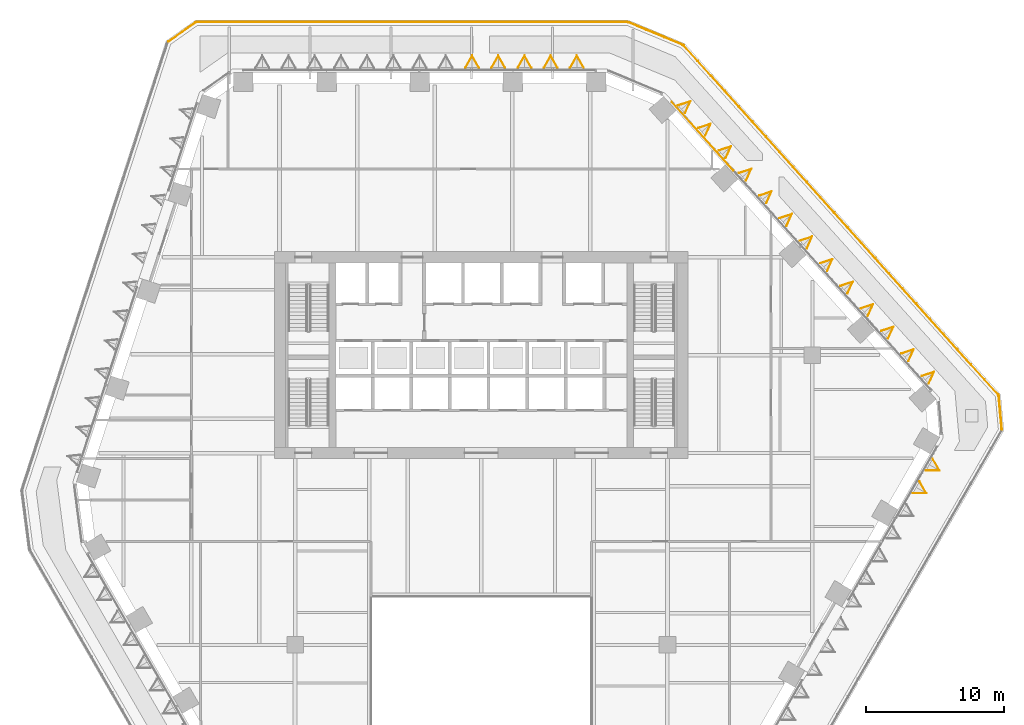
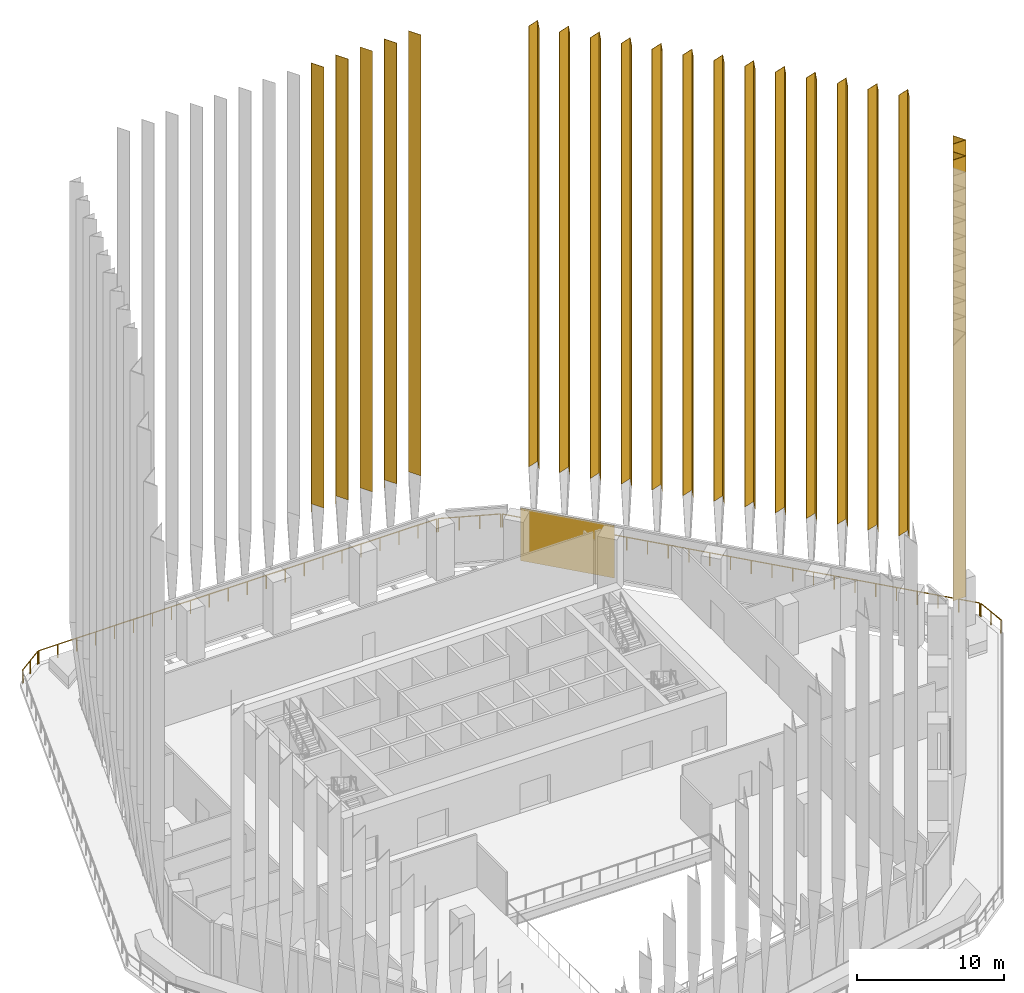
# One storey, part 23 of 27: 21 coverings, 5 railings, 1 element without a shape of its own.
"""IFC4 building model written with IfcOpenShell, lengths in metres."""

import ifcopenshell
import ifcopenshell.guid

model = None  # the IFC model being written
_history = None  # IfcOwnerHistory: only IFC2X3 demands one
_inside = {}  # id of a spatial element -> (the spatial element, [elements in it])
_under = {}  # id of a project, library or spatial element -> (it, [spatial elements below it])
_declared = {}  # id of a project -> (the project, [libraries it declares])
_typed = {}  # id of a type object -> (the type object, [elements of that type])
_made_of = {}  # id of a material, layer set ... -> (it, [elements and type objects made of it])


def new_model(schema):
    """Start an empty IFC model of exactly this schema.

    Asked for "IFC4X3", IfcOpenShell would pick the latest addendum, in which some entities
    have other attributes; the version numbers below select the first issue.
    IFC2X3 requires an IfcOwnerHistory on every rooted entity: one is made here for all.
    """
    global model, _history
    if schema == "IFC4X3":
        model = ifcopenshell.file(schema_version=(4, 3, 0, 0))
    else:
        model = ifcopenshell.file(schema=schema)
    _inside.clear()
    _under.clear()
    _declared.clear()
    _typed.clear()
    _made_of.clear()
    _history = None
    if model.schema == "IFC2X3":
        org = make("IfcOrganization", Name="unknown")
        user = make(
            "IfcPersonAndOrganization",
            ThePerson=make("IfcPerson", FamilyName="unknown"),
            TheOrganization=org,
        )
        app = make(
            "IfcApplication",
            ApplicationDeveloper=org,
            Version="unknown",
            ApplicationFullName="unknown",
            ApplicationIdentifier="unknown",
        )
        _history = make(
            "IfcOwnerHistory",
            OwningUser=user,
            OwningApplication=app,
            ChangeAction="ADDED",
            CreationDate=0,
        )
    return model


def make(cls, **values):
    """One entity of the class cls with the attributes given. An attribute that is None is left unset."""
    return model.create_entity(
        cls, **{name: value for name, value in values.items() if value is not None}
    )


def rooted(cls, **values):
    """An entity with a GlobalId (a new one), such as an element, a storey or a relation."""
    return make(cls, GlobalId=ifcopenshell.guid.new(), OwnerHistory=_history, **values)


def si_unit(unit_type, name, prefix=None):
    """IfcSIUnit, for example si_unit("LENGTHUNIT", "METRE", prefix="MILLI")."""
    return make("IfcSIUnit", UnitType=unit_type, Prefix=prefix, Name=name)


def assignment(units):
    """IfcUnitAssignment: the units of a project."""
    return None if units is None else make("IfcUnitAssignment", Units=units)


def point(xyz):
    """IfcCartesianPoint."""
    return None if xyz is None else make("IfcCartesianPoint", Coordinates=xyz)


def direction(xyz):
    """IfcDirection."""
    return None if xyz is None else make("IfcDirection", DirectionRatios=xyz)


def frame(location, z_axis=None, x_axis=None):
    """IfcAxis2Placement3D, a coordinate frame: its origin and axes. An axis left out is left unset."""
    return make(
        "IfcAxis2Placement3D",
        Location=point(location),
        Axis=direction(z_axis),
        RefDirection=direction(x_axis),
    )


def frame_2d(location, x_axis=None):
    """IfcAxis2Placement2D, a coordinate frame in the plane: its origin and x axis."""
    return make(
        "IfcAxis2Placement2D", Location=point(location), RefDirection=direction(x_axis)
    )


def origin():
    """The frame at (0, 0, 0) with its axes left unset."""
    return frame((0.0, 0.0, 0.0))


def origin_2d():
    """The frame at (0, 0) in the plane with its x axis left unset."""
    return frame_2d((0.0, 0.0))


def place(relative_to, where):
    """IfcLocalPlacement: puts the frame where relative to a parent placement (None: the world)."""
    return make(
        "IfcLocalPlacement", PlacementRelTo=relative_to, RelativePlacement=where
    )


def context(
    kind, dimensions, precision=None, world=None, true_north=None, identifier=None
):
    """IfcGeometricRepresentationContext, for example the 3D "Model" context."""
    return make(
        "IfcGeometricRepresentationContext",
        ContextIdentifier=identifier,
        ContextType=kind,
        CoordinateSpaceDimension=dimensions,
        Precision=precision,
        WorldCoordinateSystem=world,
        TrueNorth=true_north,
    )


def subcontext(parent, identifier, kind, view, scale=None):
    """IfcGeometricRepresentationSubContext, for example "Body" below "Model"."""
    return make(
        "IfcGeometricRepresentationSubContext",
        ContextIdentifier=identifier,
        ContextType=kind,
        ParentContext=parent,
        TargetScale=scale,
        TargetView=view,
    )


def project(units=None, contexts=None):
    """IfcProject with its units and contexts."""
    return rooted(
        "IfcProject",
        Name="project",
        RepresentationContexts=contexts,
        UnitsInContext=assignment(units),
    )


def spatial(cls, under=None, at=None, **own):
    """A site, building, storey or space (cls), placed at a placement, below another one or the project."""
    s = rooted(cls, ObjectPlacement=at, **own)
    if under is not None:
        _under.setdefault(under.id(), (under, []))[1].append(s)
    return s


def polyline(points):
    """IfcPolyline through the points."""
    return make("IfcPolyline", Points=[point(p) for p in points])


def profile(cls, at=None, kind="AREA", **sizes):
    """A parametric profile (cls). Its sizes go by their IFC names, for example OverallWidth=200.0."""
    return make(cls, ProfileType=kind, Position=at, **sizes)


def rectangle(**sizes):
    """IfcRectangleProfileDef."""
    return profile("IfcRectangleProfileDef", **sizes)


def circle(**sizes):
    """IfcCircleProfileDef."""
    return profile("IfcCircleProfileDef", **sizes)


def outline(outer, holes=None, kind="AREA"):
    """IfcArbitraryClosedProfileDef: a profile drawn as a closed curve; with holes, ...WithVoids."""
    if holes is None:
        return make("IfcArbitraryClosedProfileDef", ProfileType=kind, OuterCurve=outer)
    return make(
        "IfcArbitraryProfileDefWithVoids",
        ProfileType=kind,
        OuterCurve=outer,
        InnerCurves=holes,
    )


def extrude(swept, where, along, depth):
    """IfcExtrudedAreaSolid: the profile swept, set in the frame where, extruded along a direction by depth."""
    return make(
        "IfcExtrudedAreaSolid",
        SweptArea=swept,
        Position=where,
        ExtrudedDirection=direction(along),
        Depth=depth,
    )


def shape(context_of_items, identifier, shape_type, items):
    """IfcShapeRepresentation: the items that make up one representation, for example the "Body"."""
    return make(
        "IfcShapeRepresentation",
        ContextOfItems=context_of_items,
        RepresentationIdentifier=identifier,
        RepresentationType=shape_type,
        Items=items,
    )


def material(Name=None, Category=None):
    """IfcMaterial."""
    return make("IfcMaterial", Name=Name, Category=Category)


def layer(
    of_material, thickness, ventilated=None, Name=None, Category=None, Priority=None
):
    """IfcMaterialLayer: one layer of a wall or slab, of a material (None: an air gap)."""
    return make(
        "IfcMaterialLayer",
        Material=of_material,
        LayerThickness=thickness,
        IsVentilated=ventilated,
        Name=Name,
        Category=Category,
        Priority=Priority,
    )


def layer_set(layers, Name=None):
    """IfcMaterialLayerSet."""
    return make("IfcMaterialLayerSet", MaterialLayers=layers, LayerSetName=Name)


def material_profile(
    of_material, cross_section, Name=None, Category=None, Priority=None
):
    """IfcMaterialProfile: a cross section and its material."""
    return make(
        "IfcMaterialProfile",
        Name=Name,
        Material=of_material,
        Profile=cross_section,
        Priority=Priority,
        Category=Category,
    )


def profile_set(profiles, Name=None, composite=None):
    """IfcMaterialProfileSet."""
    return make(
        "IfcMaterialProfileSet",
        Name=Name,
        MaterialProfiles=profiles,
        CompositeProfile=composite,
    )


def made_of(thing, what):
    """Note that an element or type object is made of a material, layer set ...; save() writes the relation."""
    if what is not None:
        _made_of.setdefault(what.id(), (what, []))[1].append(thing)
    return thing


def type_object(cls, material=None, **own):
    """A type object (cls), such as IfcWallType, which elements share."""
    return made_of(rooted(cls, **own), material)


def element(
    cls,
    number,
    at=None,
    inside=None,
    cuts=None,
    type_object=None,
    material=None,
    context=None,
    identifier="Body",
    shape_type=None,
    held_by="IfcProductDefinitionShape",
    body=None,
    shapes=None,
    **own,
):
    """One element of the class cls, such as IfcWall. Its Tag is "e" and its number.

    at: its placement. inside: the storey or other place that contains it. cuts: it is an
    opening in that element (IfcRelVoidsElement). A single representation is given by context,
    identifier, shape_type and body (its items); several are given by shapes. held_by: the class
    of the entity that holds the representations. save() writes the other relations.
    """
    e = rooted(cls, Tag="e%d" % number, ObjectPlacement=at, **own)
    if body is not None:
        shapes = [shape(context, identifier, shape_type, body)]
    if shapes is not None:
        e.Representation = make(held_by, Representations=shapes)
    if inside is not None:
        _inside.setdefault(inside.id(), (inside, []))[1].append(e)
    if cuts is not None:
        rooted(
            "IfcRelVoidsElement", RelatingBuildingElement=cuts, RelatedOpeningElement=e
        )
    if type_object is not None:
        _typed.setdefault(type_object.id(), (type_object, []))[1].append(e)
    return made_of(e, material)


def aggregate(whole, parts):
    """IfcRelAggregates: a whole, such as a stair, and the parts it consists of."""
    return rooted("IfcRelAggregates", RelatingObject=whole, RelatedObjects=parts)


def save(model, path):
    """Write the relations noted so far, then the file.

    IfcRelAggregates (storeys below a building ...), IfcRelContainedInSpatialStructure (elements
    in a storey), IfcRelDefinesByType, IfcRelAssociatesMaterial and IfcRelDeclares: one each for
    every whole, place, type object, material and project.
    """
    for whole, parts in _under.values():
        aggregate(whole, parts)
    for where, things in _inside.values():
        rooted(
            "IfcRelContainedInSpatialStructure",
            RelatedElements=things,
            RelatingStructure=where,
        )
    for kind, things in _typed.values():
        rooted("IfcRelDefinesByType", RelatedObjects=things, RelatingType=kind)
    for what, things in _made_of.values():
        rooted("IfcRelAssociatesMaterial", RelatedObjects=things, RelatingMaterial=what)
    for by, libraries in _declared.values():
        rooted("IfcRelDeclares", RelatingContext=by, RelatedDefinitions=libraries)
    model.write(path)


model = new_model("IFC4")

# Units and contexts
model_context = context("Model", 3, precision=1e-05, world=origin(), true_north=direction((0.0, 1.0)))
body_context = subcontext(model_context, "Body", "Model", "MODEL_VIEW")
ifc_project = project(units=[si_unit("LENGTHUNIT", "METRE"), si_unit("AREAUNIT", "SQUARE_METRE"), si_unit("VOLUMEUNIT", "CUBIC_METRE"), si_unit("PLANEANGLEUNIT", "RADIAN"), si_unit("MASSUNIT", "GRAM", prefix="KILO")], contexts=[model_context])

# Site, building, storey
site_placement = place(None, origin())
site = spatial("IfcSite", under=ifc_project, at=site_placement, CompositionType="ELEMENT")
building_placement = place(site_placement, origin())
building = spatial("IfcBuilding", under=site, at=building_placement, Name="Isthmus Gate Tower", CompositionType="ELEMENT")
storey_placement = place(building_placement, frame((0.0, 0.0, 121.64990234375)))
storey = spatial("IfcBuildingStorey", under=building, at=storey_placement, Name="L29", CompositionType="ELEMENT", Elevation=121.64990234375)

# Curtain wall, covering
ifc_material_1 = material(Name="Aluminium, pale champagne anodised", Category="aluminium")
ifc_layer_1 = layer(ifc_material_1, 0.199951171875)
ifc_layer_set_1 = layer_set([ifc_layer_1], Name="CW-1 UNITISED CURTAIN WALL 200 DEEP")
curtain_wall_type = type_object("IfcCurtainWallType", Name="CW-1 UNITISED CURTAIN WALL 200 DEEP", PredefinedType="NOTDEFINED", material=ifc_layer_set_1)
curtain_wall_placement = place(storey_placement, origin())
curtain_wall = element("IfcCurtainWall", 1, at=curtain_wall_placement, inside=storey, type_object=curtain_wall_type, Name="CW-1 NE L29", PredefinedType="NOTDEFINED")
ifc_material_2 = material(Name="Aluminium composite panel, pale champagne anodised", Category="aluminium")
ifc_layer_2 = layer(ifc_material_2, 0.035888671875)
ifc_layer_set_2 = layer_set([ifc_layer_2], Name="CW-1 PALE METAL PANEL 36")
covering_type_1 = type_object("IfcCoveringType", Name="CW-1 PALE METAL PANEL 36", PredefinedType="CLADDING", material=ifc_layer_set_2)
covering_placement = place(storey_placement, frame((16.0439453125, 23.38427734375, 0.0), z_axis=(0.0, 0.0, 1.0), x_axis=(-0.669130606359, 0.743144825477, 0.0)))
covering = element("IfcCovering", 2, at=covering_placement, type_object=covering_type_1, Name="CW-1 pale metal panel", PredefinedType="CLADDING", context=body_context, shape_type="SweptSolid", body=[
    extrude(rectangle(XDim=6.690673828125, YDim=0.035888671875, at=origin_2d()), origin(), (0.0, 0.0, 1.0), 4.360107421875),
])
aggregate(curtain_wall, [covering])

# Coverings
ifc_material_3 = material(Name="Structural steel ASTM A572 Gr 50, white paint system", Category="steel")
ifc_material_profile_1 = material_profile(ifc_material_3, outline(polyline([(0.0, -0.391845703125), (0.8798828125, 0.0), (0.0, 0.391845703125), (0.0, 0.35888671875), (0.80615234375, 0.0), (0.0, -0.35888671875), (0.0, -0.391845703125)])), Name="V880")
ifc_profile_set_1 = profile_set([ifc_material_profile_1], Name="Structural steel ASTM A572 Gr 50, white paint system")
covering_type_2 = type_object("IfcCoveringType", Name="FIN V 880 DEEP", PredefinedType="CLADDING", material=ifc_profile_set_1)
for number, where, z_axis, x_axis, name in (
    (3, (32.185302734375, 5.708740234375, 7.75), (0.0, 0.0, 1.0), (0.743144825477, 0.669130606359, 0.0), "FIN"),
    (4, (30.713134765625, 7.343505859375, 7.75), (0.0, 0.0, 1.0), (0.743144825477, 0.669130606359, 0.0), "FIN"),
    (5, (29.240966796875, 8.978515625, 7.75), (0.0, 0.0, 1.0), (0.743144825477, 0.669130606359, 0.0), "FIN"),
    (6, (27.76904296875, 10.61328125, 7.75), (0.0, 0.0, 1.0), (0.743144825477, 0.669130606359, 0.0), "FIN"),
    (7, (26.296875, 12.248291015625, 7.75), (0.0, 0.0, 1.0), (0.743144825477, 0.669130606359, 0.0), "FIN"),
    (8, (24.82470703125, 13.88330078125, 7.75), (0.0, 0.0, 1.0), (0.743144825477, 0.669130606359, 0.0), "FIN"),
    (9, (23.352783203125, 15.51806640625, 7.75), (0.0, 0.0, 1.0), (0.743144825477, 0.669130606359, 0.0), "FIN"),
    (10, (21.880615234375, 17.153076171875, 7.75), (0.0, 0.0, 1.0), (0.743144825477, 0.669130606359, 0.0), "FIN"),
    (11, (20.408447265625, 18.7880859375, 7.75), (0.0, 0.0, 1.0), (0.743144825477, 0.669130606359, 0.0), "FIN"),
    (12, (18.9365234375, 20.4228515625, 7.75), (0.0, 0.0, 1.0), (0.743144825477, 0.669130606359, 0.0), "FIN"),
    (13, (17.46435546875, 22.057861328125, 7.75), (0.0, 0.0, 1.0), (0.743144825477, 0.669130606359, 0.0), "FIN"),
    (14, (15.9921875, 23.692626953125, 7.75), (0.0, 0.0, 1.0), (0.743144825477, 0.669130606359, 0.0), "FIN"),
    (15, (14.520263671875, 25.32763671875, 7.75), (0.0, 0.0, 1.0), (0.743144825477, 0.669130606359, 0.0), "FIN"),
):
    element("IfcCovering", number, at=place(storey_placement, frame(where, z_axis=z_axis, x_axis=x_axis)), inside=storey, type_object=covering_type_2, Name=name, ObjectType="FIN", PredefinedType="CLADDING", context=body_context, shape_type="SweptSolid", body=[
        extrude(outline(polyline([(0.0, -0.391845703125), (0.8798828125, 0.0), (0.0, 0.391845703125), (0.0, 0.35888671875), (0.80615234375, 0.0), (0.0, -0.35888671875), (0.0, -0.391845703125)])), origin(), (0.0, 0.0, 1.0), 36.5),
    ])
ifc_material_4 = material(Name="Structural steel ASTM A572 Gr 50, white paint system", Category="steel")
ifc_material_profile_2 = material_profile(ifc_material_4, outline(polyline([(0.0, -0.508056640625), (0.8798828125, 0.0), (0.0, 0.508056640625), (0.0, 0.473388671875), (0.820068359375, 0.0), (0.0, -0.473388671875), (0.0, -0.508056640625)])), Name="V880W")
ifc_profile_set_2 = profile_set([ifc_material_profile_2], Name="Structural steel ASTM A572 Gr 50, white paint system")
covering_type_3 = type_object("IfcCoveringType", Name="FIN V 880 DEEP WIDE", PredefinedType="CLADDING", material=ifc_profile_set_2)
for number, where, z_axis, x_axis, name in (
    (16, (6.938232421875, 28.35009765625, 7.75), (0.0, 0.0, 1.0), (0.0, 1.0, 0.0), "FIN"),
    (17, (5.038330078125, 28.35009765625, 7.75), (0.0, 0.0, 1.0), (0.0, 1.0, 0.0), "FIN"),
    (18, (3.13818359375, 28.35009765625, 7.75), (0.0, 0.0, 1.0), (0.0, 1.0, 0.0), "FIN"),
    (19, (1.23828125, 28.35009765625, 7.75), (0.0, 0.0, 1.0), (0.0, 1.0, 0.0), "FIN"),
    (20, (-0.66162109375, 28.35009765625, 7.75), (0.0, 0.0, 1.0), (0.0, 1.0, 0.0), "FIN"),
    (21, (31.53271484375, -2.083740234375, 7.75), (0.0, 0.0, 1.0), (0.866025403784, -0.5, 0.0), "FIN"),
    (22, (32.482666015625, -0.4384765625, 7.75), (0.0, 0.0, 1.0), (0.866025403784, -0.5, 0.0), "FIN"),
):
    element("IfcCovering", number, at=place(storey_placement, frame(where, z_axis=z_axis, x_axis=x_axis)), inside=storey, type_object=covering_type_3, Name=name, ObjectType="FIN", PredefinedType="CLADDING", context=body_context, shape_type="SweptSolid", body=[
        extrude(outline(polyline([(0.0, -0.508056640625), (0.8798828125, 0.0), (0.0, 0.508056640625), (0.0, 0.473388671875), (0.820068359375, 0.0), (0.0, -0.473388671875), (0.0, -0.508056640625)])), origin(), (0.0, 0.0, 1.0), 36.5),
    ])

# Railings
ifc_material_5 = material(Name="Stainless steel posts and toughened laminated glass", Category="steel")
railing_type = type_object("IfcRailingType", Name="GUARD 1100 LEDGE GLASS", PredefinedType="GUARDRAIL", material=ifc_material_5)
railing_1_placement = place(storey_placement, frame((10.6875, 31.626953125, 0.0)))
element("IfcRailing", 23, at=railing_1_placement, inside=storey, type_object=railing_type, Name="LEDGE GUARD", PredefinedType="GUARDRAIL", context=body_context, shape_type="SweptSolid", body=[
    extrude(circle(Radius=0.02490234375, at=origin_2d()), frame((0.0, 0.0, 1.0751953125), z_axis=(0.923356062757, -0.383944763436, 0.0), x_axis=(0.383944763436, 0.923356062757, 0.0)), (0.0, 0.0, 1.0), 4.239990234375),
    extrude(circle(Radius=0.02490234375, at=origin_2d()), origin(), (0.0, 0.0, 1.0), 1.050048828125),
    extrude(circle(Radius=0.02490234375, at=origin_2d()), frame((1.304931640625, -0.542724609375, 0.0)), (0.0, 0.0, 1.0), 1.050048828125),
    extrude(circle(Radius=0.02490234375, at=origin_2d()), frame((2.610107421875, -1.085205078125, 0.0)), (0.0, 0.0, 1.0), 1.050048828125),
    extrude(circle(Radius=0.02490234375, at=origin_2d()), frame((3.9150390625, -1.6279296875, 0.0)), (0.0, 0.0, 1.0), 1.050048828125),
])
railing_2_placement = place(storey_placement, frame((14.697998046875, 29.931396484375, 0.0)))
element("IfcRailing", 24, at=railing_2_placement, inside=storey, type_object=railing_type, Name="LEDGE GUARD", PredefinedType="GUARDRAIL", context=body_context, shape_type="SweptSolid", body=[
    extrude(circle(Radius=0.02490234375, at=origin_2d()), frame((0.0, 0.0, 1.0751953125), z_axis=(0.669127566603, -0.743147562475, 0.0), x_axis=(0.743147562475, 0.669127566603, 0.0)), (0.0, 0.0, 1.0), 34.041748046875),
    extrude(circle(Radius=0.02490234375, at=origin_2d()), origin(), (0.0, 0.0, 1.0), 1.050048828125),
    extrude(circle(Radius=0.02490234375, at=origin_2d()), frame((0.990478515625, -1.099853515625, 0.0)), (0.0, 0.0, 1.0), 1.050048828125),
    extrude(circle(Radius=0.02490234375, at=origin_2d()), frame((1.980712890625, -2.199951171875, 0.0)), (0.0, 0.0, 1.0), 1.050048828125),
    extrude(circle(Radius=0.02490234375, at=origin_2d()), frame((2.97119140625, -3.2998046875, 0.0)), (0.0, 0.0, 1.0), 1.050048828125),
    extrude(circle(Radius=0.02490234375, at=origin_2d()), frame((3.96142578125, -4.399658203125, 0.0)), (0.0, 0.0, 1.0), 1.050048828125),
    extrude(circle(Radius=0.02490234375, at=origin_2d()), frame((4.951904296875, -5.49951171875, 0.0)), (0.0, 0.0, 1.0), 1.050048828125),
    extrude(circle(Radius=0.02490234375, at=origin_2d()), frame((5.942138671875, -6.599609375, 0.0)), (0.0, 0.0, 1.0), 1.050048828125),
    extrude(circle(Radius=0.02490234375, at=origin_2d()), frame((6.9326171875, -7.699462890625, 0.0)), (0.0, 0.0, 1.0), 1.050048828125),
    extrude(circle(Radius=0.02490234375, at=origin_2d()), frame((7.9228515625, -8.79931640625, 0.0)), (0.0, 0.0, 1.0), 1.050048828125),
    extrude(circle(Radius=0.02490234375, at=origin_2d()), frame((8.913330078125, -9.899169921875, 0.0)), (0.0, 0.0, 1.0), 1.050048828125),
    extrude(circle(Radius=0.02490234375, at=origin_2d()), frame((9.903564453125, -10.999267578125, 0.0)), (0.0, 0.0, 1.0), 1.050048828125),
    extrude(circle(Radius=0.02490234375, at=origin_2d()), frame((10.89404296875, -12.09912109375, 0.0)), (0.0, 0.0, 1.0), 1.050048828125),
    extrude(circle(Radius=0.02490234375, at=origin_2d()), frame((11.88427734375, -13.198974609375, 0.0)), (0.0, 0.0, 1.0), 1.050048828125),
    extrude(circle(Radius=0.02490234375, at=origin_2d()), frame((12.874755859375, -14.298828125, 0.0)), (0.0, 0.0, 1.0), 1.050048828125),
    extrude(circle(Radius=0.02490234375, at=origin_2d()), frame((13.864990234375, -15.39892578125, 0.0)), (0.0, 0.0, 1.0), 1.050048828125),
    extrude(circle(Radius=0.02490234375, at=origin_2d()), frame((14.85546875, -16.498779296875, 0.0)), (0.0, 0.0, 1.0), 1.050048828125),
    extrude(circle(Radius=0.02490234375, at=origin_2d()), frame((15.845703125, -17.5986328125, 0.0)), (0.0, 0.0, 1.0), 1.050048828125),
    extrude(circle(Radius=0.02490234375, at=origin_2d()), frame((16.836181640625, -18.698486328125, 0.0)), (0.0, 0.0, 1.0), 1.050048828125),
    extrude(circle(Radius=0.02490234375, at=origin_2d()), frame((17.826416015625, -19.798583984375, 0.0)), (0.0, 0.0, 1.0), 1.050048828125),
    extrude(circle(Radius=0.02490234375, at=origin_2d()), frame((18.81689453125, -20.8984375, 0.0)), (0.0, 0.0, 1.0), 1.050048828125),
    extrude(circle(Radius=0.02490234375, at=origin_2d()), frame((19.80712890625, -21.998291015625, 0.0)), (0.0, 0.0, 1.0), 1.050048828125),
    extrude(circle(Radius=0.02490234375, at=origin_2d()), frame((20.797607421875, -23.09814453125, 0.0)), (0.0, 0.0, 1.0), 1.050048828125),
    extrude(circle(Radius=0.02490234375, at=origin_2d()), frame((21.787841796875, -24.1982421875, 0.0)), (0.0, 0.0, 1.0), 1.050048828125),
    extrude(circle(Radius=0.02490234375, at=origin_2d()), frame((22.7783203125, -25.298095703125, 0.0)), (0.0, 0.0, 1.0), 1.050048828125),
])
railing_3_placement = place(storey_placement, frame((37.52197265625, 4.529052734375, 0.0)))
element("IfcRailing", 25, at=railing_3_placement, inside=storey, type_object=railing_type, Name="LEDGE GUARD", PredefinedType="GUARDRAIL", context=body_context, shape_type="SweptSolid", body=[
    extrude(circle(Radius=0.02490234375, at=origin_2d()), frame((0.0, 0.0, 1.0751953125), z_axis=(0.089355985978, -0.995999752897, 0.0), x_axis=(0.995999752897, 0.089355985978, 0.0)), (0.0, 0.0, 1.0), 2.406982421875),
    extrude(circle(Radius=0.02490234375, at=origin_2d()), origin(), (0.0, 0.0, 1.0), 1.050048828125),
    extrude(circle(Radius=0.02490234375, at=origin_2d()), frame((0.107421875, -1.19873046875, 0.0)), (0.0, 0.0, 1.0), 1.050048828125),
    extrude(circle(Radius=0.02490234375, at=origin_2d()), frame((0.215087890625, -2.3974609375, 0.0)), (0.0, 0.0, 1.0), 1.050048828125),
])
railing_4_placement = place(storey_placement, frame((-22.68310546875, 30.23046875, 0.0)))
element("IfcRailing", 26, at=railing_4_placement, inside=storey, type_object=railing_type, Name="LEDGE GUARD", PredefinedType="GUARDRAIL", context=body_context, shape_type="SweptSolid", body=[
    extrude(circle(Radius=0.02490234375, at=origin_2d()), frame((0.0, 0.0, 1.0751953125), z_axis=(0.817852387138, 0.575428077915, 0.0), x_axis=(-0.575428077915, 0.817852387138, 0.0)), (0.0, 0.0, 1.0), 2.406982421875),
    extrude(circle(Radius=0.02490234375, at=origin_2d()), origin(), (0.0, 0.0, 1.0), 1.050048828125),
    extrude(circle(Radius=0.02490234375, at=origin_2d()), frame((0.984375, 0.6923828125, 0.0)), (0.0, 0.0, 1.0), 1.050048828125),
    extrude(circle(Radius=0.02490234375, at=origin_2d()), frame((1.968505859375, 1.385009765625, 0.0)), (0.0, 0.0, 1.0), 1.050048828125),
])
railing_5_placement = place(storey_placement, frame((-20.60546875, 31.64990234375, 0.0)))
element("IfcRailing", 27, at=railing_5_placement, inside=storey, type_object=railing_type, Name="LEDGE GUARD", PredefinedType="GUARDRAIL", context=body_context, shape_type="SweptSolid", body=[
    extrude(circle(Radius=0.02490234375, at=origin_2d()), frame((0.0, 0.0, 1.0751953125), z_axis=(1.0, 0.0, 0.0), x_axis=(0.0, 1.0, 0.0)), (0.0, 0.0, 1.0), 31.177490234375),
    extrude(circle(Radius=0.02490234375, at=origin_2d()), origin(), (0.0, 0.0, 1.0), 1.050048828125),
    extrude(circle(Radius=0.02490234375, at=origin_2d()), frame((1.484619140625, 0.0, 0.0)), (0.0, 0.0, 1.0), 1.050048828125),
    extrude(circle(Radius=0.02490234375, at=origin_2d()), frame((2.96923828125, 0.0, 0.0)), (0.0, 0.0, 1.0), 1.050048828125),
    extrude(circle(Radius=0.02490234375, at=origin_2d()), frame((4.453857421875, 0.0, 0.0)), (0.0, 0.0, 1.0), 1.050048828125),
    extrude(circle(Radius=0.02490234375, at=origin_2d()), frame((5.9384765625, 0.0, 0.0)), (0.0, 0.0, 1.0), 1.050048828125),
    extrude(circle(Radius=0.02490234375, at=origin_2d()), frame((7.423095703125, 0.0, 0.0)), (0.0, 0.0, 1.0), 1.050048828125),
    extrude(circle(Radius=0.02490234375, at=origin_2d()), frame((8.907958984375, 0.0, 0.0)), (0.0, 0.0, 1.0), 1.050048828125),
    extrude(circle(Radius=0.02490234375, at=origin_2d()), frame((10.392578125, 0.0, 0.0)), (0.0, 0.0, 1.0), 1.050048828125),
    extrude(circle(Radius=0.02490234375, at=origin_2d()), frame((11.877197265625, 0.0, 0.0)), (0.0, 0.0, 1.0), 1.050048828125),
    extrude(circle(Radius=0.02490234375, at=origin_2d()), frame((13.36181640625, 0.0, 0.0)), (0.0, 0.0, 1.0), 1.050048828125),
    extrude(circle(Radius=0.02490234375, at=origin_2d()), frame((14.846435546875, 0.0, 0.0)), (0.0, 0.0, 1.0), 1.050048828125),
    extrude(circle(Radius=0.02490234375, at=origin_2d()), frame((16.3310546875, 0.0, 0.0)), (0.0, 0.0, 1.0), 1.050048828125),
    extrude(circle(Radius=0.02490234375, at=origin_2d()), frame((17.815673828125, 0.0, 0.0)), (0.0, 0.0, 1.0), 1.050048828125),
    extrude(circle(Radius=0.02490234375, at=origin_2d()), frame((19.30029296875, 0.0, 0.0)), (0.0, 0.0, 1.0), 1.050048828125),
    extrude(circle(Radius=0.02490234375, at=origin_2d()), frame((20.784912109375, 0.0, 0.0)), (0.0, 0.0, 1.0), 1.050048828125),
    extrude(circle(Radius=0.02490234375, at=origin_2d()), frame((22.26953125, 0.0, 0.0)), (0.0, 0.0, 1.0), 1.050048828125),
    extrude(circle(Radius=0.02490234375, at=origin_2d()), frame((23.75439453125, 0.0, 0.0)), (0.0, 0.0, 1.0), 1.050048828125),
    extrude(circle(Radius=0.02490234375, at=origin_2d()), frame((25.239013671875, 0.0, 0.0)), (0.0, 0.0, 1.0), 1.050048828125),
    extrude(circle(Radius=0.02490234375, at=origin_2d()), frame((26.7236328125, 0.0, 0.0)), (0.0, 0.0, 1.0), 1.050048828125),
    extrude(circle(Radius=0.02490234375, at=origin_2d()), frame((28.208251953125, 0.0, 0.0)), (0.0, 0.0, 1.0), 1.050048828125),
    extrude(circle(Radius=0.02490234375, at=origin_2d()), frame((29.69287109375, 0.0, 0.0)), (0.0, 0.0, 1.0), 1.050048828125),
    extrude(circle(Radius=0.02490234375, at=origin_2d()), frame((31.177490234375, 0.0, 0.0)), (0.0, 0.0, 1.0), 1.050048828125),
])

save(model, "model.ifc")
